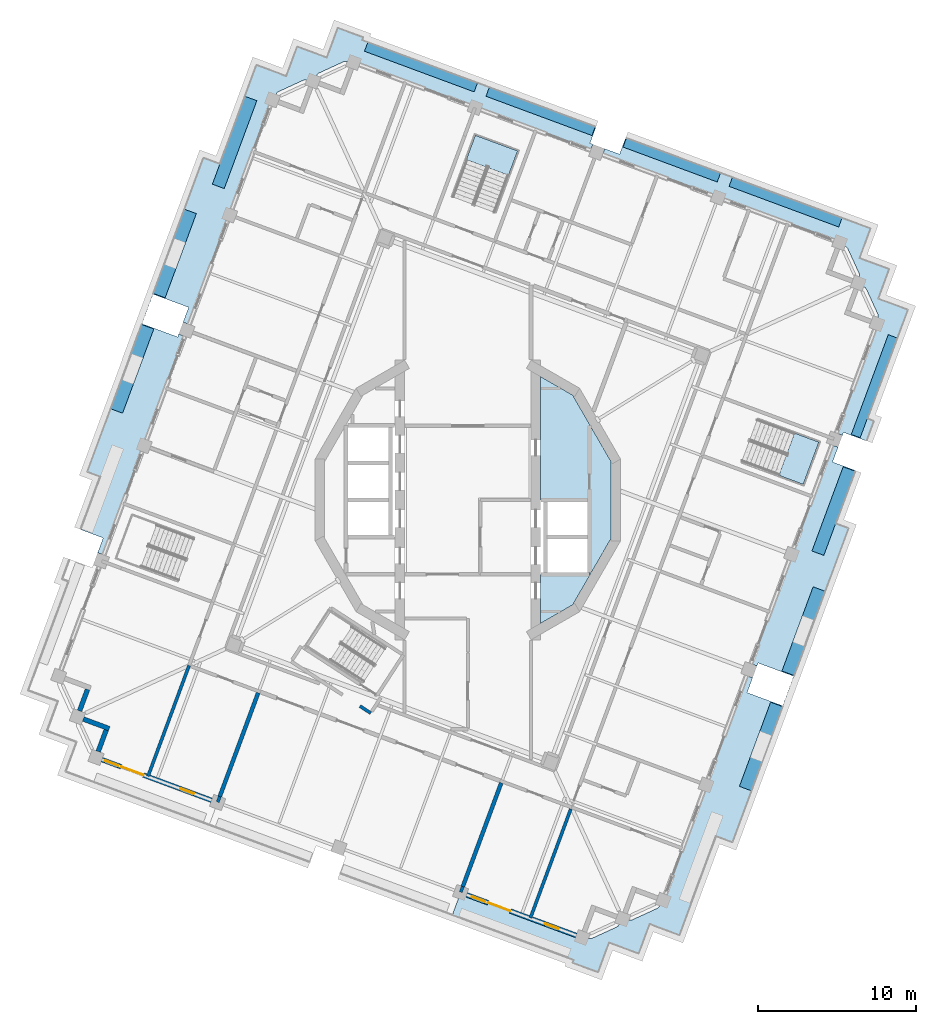
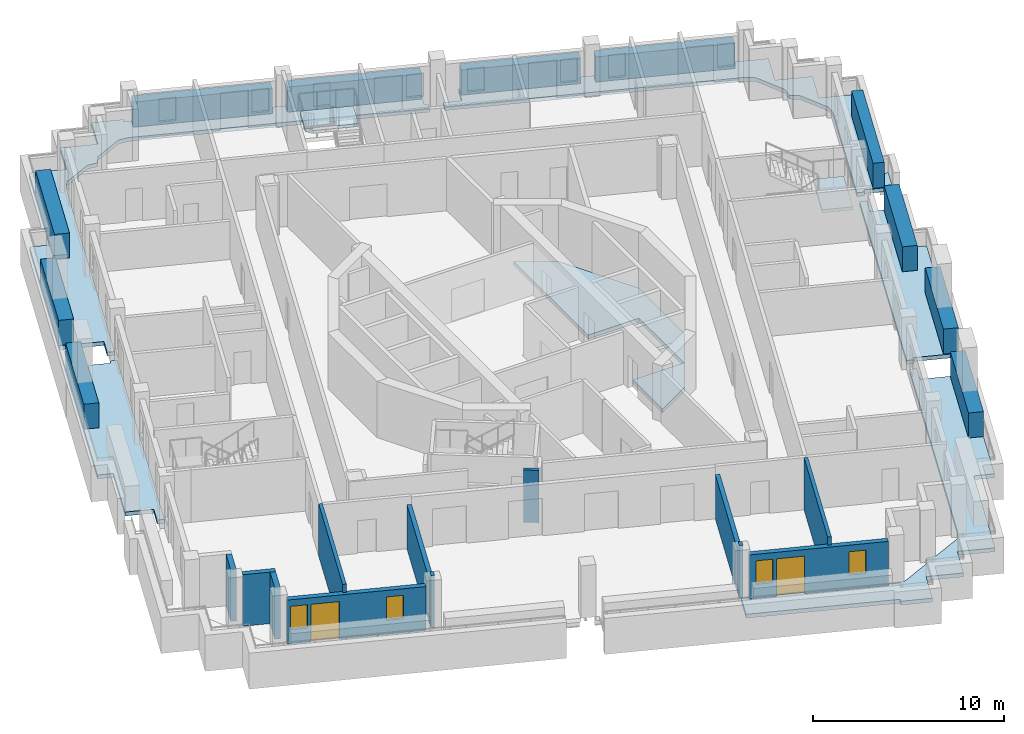
# One storey, part 3 of 18: 12 walls, 11 plates, 6 slabs, 4 windows, 2 doors, 6 openings, 2 elements without a shape of their own.
"""IFC4 building model written with IfcOpenShell, lengths in metres."""

from ifc_helpers import new_model, si_unit, direction, frame, frame_2d, origin, origin_2d, place, context, subcontext, project, spatial, polyline, rectangle, outline, extrude, material, layer, layer_set, type_object, element, fill, aggregate, save


model = new_model("IFC4")

# Units and contexts
model_context = context("Model", 3, precision=1e-05, world=origin(), true_north=direction((0.0, 1.0)))
body_context = subcontext(model_context, "Body", "Model", "MODEL_VIEW")
ifc_project = project(units=[si_unit("LENGTHUNIT", "METRE"), si_unit("AREAUNIT", "SQUARE_METRE"), si_unit("VOLUMEUNIT", "CUBIC_METRE"), si_unit("PLANEANGLEUNIT", "RADIAN"), si_unit("MASSUNIT", "GRAM", prefix="KILO")], contexts=[model_context])

# Site, building, storey
site_placement = place(None, origin())
site = spatial("IfcSite", under=ifc_project, at=site_placement, CompositionType="ELEMENT")
building_placement = place(site_placement, origin())
building = spatial("IfcBuilding", under=site, at=building_placement, Name="Cantera Rosa Tower", CompositionType="ELEMENT")
storey_placement = place(building_placement, frame((0.0, 0.0, 316.89990234375)))
storey = spatial("IfcBuildingStorey", under=building, at=storey_placement, Name="L70", CompositionType="ELEMENT", Elevation=316.89990234375)

# Slabs
ifc_material_1 = material(Name="Concrete C35/45", Category="concrete")
ifc_layer_1 = layer(ifc_material_1, 0.25)
ifc_layer_set_1 = layer_set([ifc_layer_1], Name="COMPOSITE FLOOR SLAB 250 C35/45")
slab_type_1 = type_object("IfcSlabType", Name="COMPOSITE FLOOR SLAB 250 C35/45", PredefinedType="FLOOR", material=ifc_layer_set_1)
slab_1_placement = place(storey_placement, frame((0.0, 0.0, -0.25)))
element("IfcSlab", 1, at=slab_1_placement, inside=storey, type_object=slab_type_1, Name="SLAB L70 floor 3", PredefinedType="FLOOR", context=body_context, shape_type="SweptSolid", body=[
    extrude(outline(polyline([(7.699951171875, 0.0), (4.60009765625, 0.0), (4.60009765625, 7.804931640625), (6.6318359375, 6.6318359375), (9.059326171875, 2.427490234375), (9.059326171875, -2.427490234375), (6.6318359375, -6.6318359375), (4.60009765625, -7.804931640625), (4.60009765625, -4.699951171875), (7.699951171875, -4.699951171875), (7.699951171875, -2.35009765625), (7.699951171875, 0.0)])), origin(), (0.0, 0.0, 1.0), 0.25),
])
ifc_material_2 = material(Name="Concrete C35/45", Category="concrete")
ifc_layer_2 = layer(ifc_material_2, 0.25)
ifc_layer_set_2 = layer_set([ifc_layer_2], Name="LOGGIA SLAB 250 C35/45")
slab_type_2 = type_object("IfcSlabType", Name="LOGGIA SLAB 250 C35/45", PredefinedType="FLOOR", material=ifc_layer_set_2)
slab_2_placement = place(storey_placement, frame((0.0, 0.0, -0.25)))
element("IfcSlab", 2, at=slab_2_placement, inside=storey, type_object=slab_type_2, Name="LOGGIA SLAB L70 2", PredefinedType="FLOOR", context=body_context, shape_type="SweptSolid", body=[
    extrude(outline(polyline([(-16.729736328125, 21.637451171875), (-15.69287109375, 21.253173828125), (-13.373779296875, 27.511474609375), (-11.779541015625, 26.920654296875), (-11.7841796875, 26.908447265625), (-11.490478515625, 26.799560546875), (-11.381591796875, 27.09326171875), (-10.795654296875, 28.6748046875), (-9.2138671875, 28.0888671875), (-8.920166015625, 27.97998046875), (-8.22509765625, 29.85546875), (-6.6435546875, 29.269287109375), (-6.70849609375, 29.093994140625), (-0.42578125, 26.765869140625), (2.38720703125, 25.723388671875), (7.26318359375, 23.91650390625), (8.10693359375, 23.603759765625), (7.724853515625, 22.572265625), (7.912353515625, 22.502685546875), (7.7734375, 22.127685546875), (-6.25048828125, 27.32470703125), (-7.2294921875, 27.6875), (-7.6962890625, 27.74755859375), (-7.7255859375, 27.750732421875), (-7.7548828125, 27.751220703125), (-7.784423828125, 27.74853515625), (-7.813232421875, 27.7431640625), (-7.841552734375, 27.735107421875), (-7.868896484375, 27.72412109375), (-9.4111328125, 27.015625), (-9.437255859375, 27.002197265625), (-9.4619140625, 26.986083984375), (-9.48486328125, 26.9677734375), (-9.505859375, 26.947021484375), (-9.52490234375, 26.924560546875), (-9.54150390625, 26.900146484375), (-9.800048828125, 26.507080078125), (-10.2666015625, 26.567138671875), (-10.2958984375, 26.5703125), (-10.325439453125, 26.57080078125), (-10.354736328125, 26.568115234375), (-10.383544921875, 26.562744140625), (-10.411865234375, 26.554443359375), (-10.439208984375, 26.543701171875), (-11.9814453125, 25.835205078125), (-12.007568359375, 25.82177734375), (-12.0322265625, 25.8056640625), (-12.05517578125, 25.787353515625), (-12.076171875, 25.7666015625), (-12.09521484375, 25.744140625), (-12.11181640625, 25.7197265625), (-12.370361328125, 25.32666015625), (-12.733154296875, 24.347412109375), (-17.63818359375, 11.111328125), (-18.01318359375, 11.250244140625), (-17.665771484375, 12.18798828125), (-19.916259765625, 13.02197265625), (-20.611083984375, 11.146484375), (-18.360595703125, 10.3125), (-18.291259765625, 10.5), (-17.916015625, 10.361083984375), (-23.044921875, -3.47900390625), (-23.419921875, -3.340087890625), (-23.072509765625, -2.40234375), (-24.51220703125, -1.868896484375), (-23.265869140625, 1.494384765625), (-24.0703125, 1.79248046875), (-21.37109375, 9.07568359375), (-21.38330078125, 9.080078125), (-16.729736328125, 21.637451171875)])), origin(), (0.0, 0.0, 1.0), 0.25),
])
slab_3_placement = place(storey_placement, frame((0.0, 0.0, -0.25)))
element("IfcSlab", 3, at=slab_3_placement, inside=storey, type_object=slab_type_2, Name="LOGGIA SLAB L70 3", PredefinedType="FLOOR", context=body_context, shape_type="SweptSolid", body=[
    extrude(outline(polyline([(11.7841796875, -26.908447265625), (11.490478515625, -26.799560546875), (11.381591796875, -27.09326171875), (10.795654296875, -28.6748046875), (9.2138671875, -28.0888671875), (8.920166015625, -27.97998046875), (8.22509765625, -29.85546875), (6.6435546875, -29.269287109375), (6.70849609375, -29.093994140625), (0.42578125, -26.765869140625), (-0.980712890625, -26.24462890625), (-0.45947265625, -24.838134765625), (6.25048828125, -27.32470703125), (7.2294921875, -27.6875), (7.6962890625, -27.74755859375), (7.7255859375, -27.750732421875), (7.7548828125, -27.751220703125), (7.784423828125, -27.74853515625), (7.813232421875, -27.7431640625), (7.841552734375, -27.735107421875), (7.868896484375, -27.72412109375), (9.4111328125, -27.015625), (9.437255859375, -27.002197265625), (9.4619140625, -26.986083984375), (9.48486328125, -26.9677734375), (9.505859375, -26.947021484375), (9.52490234375, -26.924560546875), (9.54150390625, -26.900146484375), (9.800048828125, -26.507080078125), (10.2666015625, -26.567138671875), (10.2958984375, -26.5703125), (10.325439453125, -26.57080078125), (10.354736328125, -26.568115234375), (10.383544921875, -26.562744140625), (10.411865234375, -26.554443359375), (10.439208984375, -26.543701171875), (11.9814453125, -25.835205078125), (12.007568359375, -25.82177734375), (12.0322265625, -25.8056640625), (12.05517578125, -25.787353515625), (12.076171875, -25.7666015625), (12.09521484375, -25.744140625), (12.11181640625, -25.7197265625), (12.370361328125, -25.32666015625), (12.733154296875, -24.347412109375), (17.63818359375, -11.111328125), (18.01318359375, -11.250244140625), (17.665771484375, -12.18798828125), (19.916259765625, -13.02197265625), (20.611083984375, -11.146484375), (18.360595703125, -10.3125), (18.291259765625, -10.5), (17.916015625, -10.361083984375), (23.044921875, 3.47900390625), (23.419921875, 3.340087890625), (23.072509765625, 2.40234375), (24.51220703125, 1.868896484375), (23.265869140625, -1.494384765625), (24.0703125, -1.79248046875), (21.37109375, -9.07568359375), (21.38330078125, -9.080078125), (16.729736328125, -21.637451171875), (15.69287109375, -21.253173828125), (13.373779296875, -27.511474609375), (11.779541015625, -26.920654296875), (11.7841796875, -26.908447265625)])), origin(), (0.0, 0.0, 1.0), 0.25),
])
slab_4_placement = place(storey_placement, frame((0.0, 0.0, -0.25)))
element("IfcSlab", 4, at=slab_4_placement, inside=storey, type_object=slab_type_2, Name="LOGGIA SLAB L70 4", PredefinedType="FLOOR", context=body_context, shape_type="SweptSolid", body=[
    extrude(outline(polyline([(25.454345703125, 17.17529296875), (24.93310546875, 15.768798828125), (24.75927734375, 15.300048828125), (25.22802734375, 15.126220703125), (26.634765625, 14.60498046875), (26.11328125, 13.198486328125), (25.939697265625, 12.729736328125), (26.408447265625, 12.555908203125), (26.410400390625, 12.561279296875), (27.822509765625, 12.0380859375), (25.268310546875, 5.145751953125), (25.671142578125, 4.996337890625), (25.20703125, 3.744384765625), (23.767578125, 4.27783203125), (23.697998046875, 4.09033203125), (23.322998046875, 4.229248046875), (25.88720703125, 11.1494140625), (25.947509765625, 11.6162109375), (25.95068359375, 11.6455078125), (25.950927734375, 11.6748046875), (25.948486328125, 11.7041015625), (25.943115234375, 11.733154296875), (25.934814453125, 11.76123046875), (25.923828125, 11.788818359375), (25.215576171875, 13.330810546875), (25.201904296875, 13.35693359375), (25.18603515625, 13.381591796875), (25.16748046875, 13.404541015625), (25.14697265625, 13.42578125), (25.12451171875, 13.444580078125), (25.10009765625, 13.461181640625), (24.706787109375, 13.7197265625), (24.76708984375, 14.186279296875), (24.770263671875, 14.2158203125), (24.7705078125, 14.2451171875), (24.76806640625, 14.2744140625), (24.7626953125, 14.303466796875), (24.75439453125, 14.331787109375), (24.743408203125, 14.35888671875), (24.03515625, 15.901123046875), (24.021484375, 15.92724609375), (24.005615234375, 15.951904296875), (23.987060546875, 15.974853515625), (23.966552734375, 15.99609375), (23.944091796875, 16.014892578125), (23.919677734375, 16.031494140625), (23.526611328125, 16.2900390625), (8.5234375, 21.849853515625), (8.66259765625, 22.224853515625), (9.60009765625, 21.87744140625), (9.982421875, 22.90869140625), (10.076171875, 22.8740234375), (14.9521484375, 21.067138671875), (17.76513671875, 20.024658203125), (24.047607421875, 17.696533203125), (25.454345703125, 17.17529296875)])), origin(), (0.0, 0.0, 1.0), 0.25),
])

# Plates
ifc_material_3 = material(Name="Cantera stone planter with soil", Category="masonry")
plate_type_1 = type_object("IfcPlateType", Name="PLANTER 600", PredefinedType="USERDEFINED", material=ifc_material_3)
plate_1_placement = place(storey_placement, frame((20.098876953125, 18.83984375, 0.0), z_axis=(0.0, 0.0, 1.0), x_axis=(-0.937686936924, 0.347481234489, 0.0)))
element("IfcPlate", 5, at=plate_1_placement, inside=storey, type_object=plate_type_1, Name="PLANTER L70-01", ObjectType="PLANTER", PredefinedType="USERDEFINED", context=body_context, shape_type="SweptSolid", body=[
    extrude(rectangle(XDim=7.39990234375, YDim=0.60009765625, at=origin_2d()), origin(), (0.0, 0.0, 1.0), 1.60009765625),
])
plate_2_placement = place(storey_placement, frame((12.902099609375, 21.5068359375, 0.0), z_axis=(0.0, 0.0, 1.0), x_axis=(-0.937686936924, 0.347481234489, 0.0)))
element("IfcPlate", 6, at=plate_2_placement, inside=storey, type_object=plate_type_1, Name="PLANTER L70-02", ObjectType="PLANTER", PredefinedType="USERDEFINED", context=body_context, shape_type="SweptSolid", body=[
    extrude(rectangle(XDim=6.35009765625, YDim=0.60009765625, at=origin_2d()), origin(), (0.0, 0.0, 1.0), 1.60009765625),
])
plate_3_placement = place(storey_placement, frame((4.603759765625, 24.58203125, 0.0), z_axis=(0.0, 0.0, 1.0), x_axis=(-0.937686936924, 0.347481234489, 0.0)))
element("IfcPlate", 7, at=plate_3_placement, inside=storey, type_object=plate_type_1, Name="PLANTER L70-03", ObjectType="PLANTER", PredefinedType="USERDEFINED", context=body_context, shape_type="SweptSolid", body=[
    extrude(rectangle(XDim=7.14990234375, YDim=0.60009765625, at=origin_2d()), origin(), (0.0, 0.0, 1.0), 1.60009765625),
])
plate_4_placement = place(storey_placement, frame((-2.968017578125, 27.387939453125, 0.0), z_axis=(0.0, 0.0, 1.0), x_axis=(-0.937686936924, 0.347481234489, 0.0)))
element("IfcPlate", 8, at=plate_4_placement, inside=storey, type_object=plate_type_1, Name="PLANTER L70-04", ObjectType="PLANTER", PredefinedType="USERDEFINED", context=body_context, shape_type="SweptSolid", body=[
    extrude(rectangle(XDim=7.39990234375, YDim=0.60009765625, at=origin_2d()), origin(), (0.0, 0.0, 1.0), 1.60009765625),
])
plate_5_placement = place(storey_placement, frame((25.709716796875, 7.199951171875, 0.0), z_axis=(0.0, 0.0, 1.0), x_axis=(0.347481234489, 0.937686936924, 0.0)))
element("IfcPlate", 9, at=plate_5_placement, inside=storey, type_object=plate_type_1, Name="PLANTER L70-18", ObjectType="PLANTER", PredefinedType="USERDEFINED", context=body_context, shape_type="SweptSolid", body=[
    extrude(rectangle(XDim=6.72998046875, YDim=0.60009765625, at=origin_2d()), origin(), (0.0, 0.0, 1.0), 1.60009765625),
])
ifc_material_4 = material(Name="Cantera stone planter with soil", Category="masonry")
plate_type_2 = type_object("IfcPlateType", Name="PLANTER 800", PredefinedType="USERDEFINED", material=ifc_material_4)
plate_6_placement = place(storey_placement, frame((-14.758544921875, 22.623046875, 0.0), z_axis=(0.0, 0.0, 1.0), x_axis=(-0.347481234489, -0.937686936924, 0.0)))
element("IfcPlate", 10, at=plate_6_placement, inside=storey, type_object=plate_type_2, Name="PLANTER L70-05", ObjectType="PLANTER", PredefinedType="USERDEFINED", context=body_context, shape_type="SweptSolid", body=[
    extrude(rectangle(XDim=5.929931640625, YDim=0.800048828125, at=origin_2d()), origin(), (0.0, 0.0, 1.0), 1.60009765625),
])
for number, where, z_axis, x_axis, name in (
    (11, (-18.54248046875, 15.594970703125, 0.0), (0.0, 0.0, 1.0), (-0.347481234489, -0.937686936924, 0.0), "PLANTER L70-06"),
    (12, (-21.23388671875, 8.295166015625, 0.0), (0.0, 0.0, 1.0), (-0.347481234489, -0.937686936924, 0.0), "PLANTER L70-07"),
    (13, (18.54248046875, -15.594970703125, 0.0), (0.0, 0.0, 1.0), (0.347481234489, 0.937686936924, 0.0), "PLANTER L70-15"),
    (14, (21.23388671875, -8.295166015625, 0.0), (0.0, 0.0, 1.0), (0.347481234489, 0.937686936924, 0.0), "PLANTER L70-16"),
    (15, (23.1328125, -0.701904296875, 0.0), (0.0, 0.0, 1.0), (0.347481234489, 0.937686936924, 0.0), "PLANTER L70-17"),
):
    element("IfcPlate", number, at=place(storey_placement, frame(where, z_axis=z_axis, x_axis=x_axis)), inside=storey, type_object=plate_type_2, Name=name, ObjectType="PLANTER", PredefinedType="USERDEFINED", context=body_context, shape_type="SweptSolid", body=[
        extrude(rectangle(XDim=5.679931640625, YDim=0.800048828125, at=origin_2d()), origin(), (0.0, 0.0, 1.0), 1.60009765625),
    ])

# Stair, slab
ifc_material_5 = material(Name="Concrete C35/45", Category="concrete")
stair_type = type_object("IfcStairType", Name="EXIT STAIR 1350 DOGLEG", PredefinedType="HALF_TURN_STAIR", material=ifc_material_5)
stair_1_placement = place(storey_placement, origin())
stair_1 = element("IfcStair", 16, at=stair_1_placement, inside=storey, type_object=stair_type, Name="L70 ST-61", PredefinedType="HALF_TURN_STAIR")
ifc_material_6 = material(Name="Concrete C35/45", Category="concrete")
ifc_layer_3 = layer(ifc_material_6, 0.199951171875)
ifc_layer_set_3 = layer_set([ifc_layer_3], Name="STAIR LANDING 200")
slab_type_3 = type_object("IfcSlabType", Name="STAIR LANDING 200", PredefinedType="LANDING", material=ifc_layer_set_3)
slab_5_placement = place(storey_placement, frame((0.0, 0.0, 1.60009765625)))
slab_5 = element("IfcSlab", 17, at=slab_5_placement, type_object=slab_type_3, Name="ST-61 landing 1", PredefinedType="LANDING", context=body_context, shape_type="SweptSolid", body=[
    extrude(outline(polyline([(19.67626953125, 1.56005859375), (21.2158203125, 0.989501953125), (22.206298828125, 3.661865234375), (20.66650390625, 4.232421875), (19.67626953125, 1.56005859375)])), origin(), (0.0, 0.0, 1.0), 0.199951171875),
])
aggregate(stair_1, [slab_5])

stair_2_placement = place(storey_placement, origin())
stair_2 = element("IfcStair", 18, at=stair_2_placement, inside=storey, type_object=stair_type, Name="L70 ST-62", PredefinedType="HALF_TURN_STAIR")
slab_6_placement = place(storey_placement, frame((0.0, 0.0, 1.60009765625)))
slab_6 = element("IfcSlab", 19, at=slab_6_placement, type_object=slab_type_3, Name="ST-62 landing 1", PredefinedType="LANDING", context=body_context, shape_type="SweptSolid", body=[
    extrude(outline(polyline([(2.573974609375, 20.543701171875), (3.14453125, 22.08349609375), (0.47216796875, 23.07373046875), (-0.098388671875, 21.5341796875), (2.573974609375, 20.543701171875)])), origin(), (0.0, 0.0, 1.0), 0.199951171875),
])
aggregate(stair_2, [slab_6])

# Walls
ifc_material_7 = material(Name="Gypsum board partition")
ifc_layer_4 = layer(ifc_material_7, 0.199951171875)
ifc_layer_set_4 = layer_set([ifc_layer_4], Name="CORRIDOR WALL 200 H3350")
wall_type_1 = type_object("IfcWallType", Name="CORRIDOR WALL 200 H3350", PredefinedType="PARTITIONING", material=ifc_layer_set_4)
wall_1_placement = place(storey_placement, frame((-6.83251953125, -13.038330078125, 0.0), z_axis=(0.0, 0.0, 1.0), x_axis=(0.838593374038, -0.54475788477, 0.0)))
element("IfcWall", 20, at=wall_1_placement, inside=storey, type_object=wall_type_1, Name="CORRIDOR WALL L70-019", PredefinedType="PARTITIONING", context=body_context, shape_type="SweptSolid", body=[
    extrude(rectangle(XDim=0.8193359375, YDim=0.199951171875, at=frame_2d((0.40966796875, 0.0))), origin(), (0.0, 0.0, 1.0), 3.35009765625),
])
ifc_material_8 = material(Name="Hollow clay masonry with cantera stone cladding", Category="masonry")
ifc_layer_5 = layer(ifc_material_8, 0.300048828125)
ifc_layer_set_5 = layer_set([ifc_layer_5], Name="EW-LOGGIA 300")
wall_type_2 = type_object("IfcWallType", Name="EW-LOGGIA 300", PredefinedType="SOLIDWALL", material=ifc_layer_set_5)
wall_2_placement = place(storey_placement, frame((-24.06396484375, -11.985107421875, 0.0), z_axis=(0.0, 0.0, 1.0), x_axis=(-0.347522732201, -0.937671557958, 0.0)))
element("IfcWall", 21, at=wall_2_placement, inside=storey, type_object=wall_type_2, Name="EN-L70-W12b", PredefinedType="SOLIDWALL", context=body_context, shape_type="SweptSolid", body=[
    extrude(rectangle(XDim=1.449951171875, YDim=0.300048828125, at=frame_2d((0.72509765625, 0.0))), origin(), (0.0, 0.0, 1.0), 3.300048828125),
])
wall_3_placement = place(storey_placement, frame((-24.331787109375, -13.858642578125, 0.0), z_axis=(0.0, 0.0, 1.0), x_axis=(0.937669639538, -0.34752790836, 0.0)))
element("IfcWall", 22, at=wall_3_placement, inside=storey, type_object=wall_type_2, Name="EN-L70-W13a", PredefinedType="SOLIDWALL", context=body_context, shape_type="SweptSolid", body=[
    extrude(rectangle(XDim=1.75, YDim=0.300048828125, at=frame_2d((0.875, 0.0))), origin(), (0.0, 0.0, 1.0), 3.300048828125),
])
wall_4_placement = place(storey_placement, frame((-22.883544921875, -14.555419921875, 0.0), z_axis=(0.0, 0.0, 1.0), x_axis=(-0.347522732201, -0.937671557958, 0.0)))
element("IfcWall", 23, at=wall_4_placement, inside=storey, type_object=wall_type_2, Name="EN-L70-W13b", PredefinedType="SOLIDWALL", context=body_context, shape_type="SweptSolid", body=[
    extrude(rectangle(XDim=1.449951171875, YDim=0.300048828125, at=frame_2d((0.72509765625, 0.0))), origin(), (0.0, 0.0, 1.0), 3.300048828125),
])

# Wall, openings, windows, door
ifc_material_9 = material(Name="Hollow clay masonry with cantera stone cladding", Category="masonry")
ifc_layer_6 = layer(ifc_material_9, 0.300048828125)
ifc_layer_set_6 = layer_set([ifc_layer_6], Name="EW-LOGGIA 300 H2820")
wall_type_3 = type_object("IfcWallType", Name="EW-LOGGIA 300 H2820", PredefinedType="SOLIDWALL", material=ifc_layer_set_6)
wall_5_placement = place(storey_placement, frame((-23.1513671875, -16.428955078125, 0.0), z_axis=(0.0, 0.0, 1.0), x_axis=(0.937676706507, -0.347508840281, 0.0)))
wall_5 = element("IfcWall", 24, at=wall_5_placement, inside=storey, type_object=wall_type_3, Name="EN-L70-W14", PredefinedType="SOLIDWALL", context=body_context, shape_type="SweptSolid", body=[
    extrude(rectangle(XDim=7.39990234375, YDim=0.300048828125, at=frame_2d((3.699951171875, 0.0))), origin(), (0.0, 0.0, 1.0), 2.820068359375),
])
opening_1_placement = place(wall_5_placement, frame((0.199951171875, 0.0, 0.89990234375)))
opening_1 = element("IfcOpeningElement", 25, at=opening_1_placement, cuts=wall_5, Name="Opening L70-W28", PredefinedType="OPENING", context=body_context, shape_type="SweptSolid", body=[
    extrude(rectangle(XDim=0.89990234375, YDim=1.5, at=frame_2d((0.449951171875, 0.75))), frame((0.0, 0.159912109375, 0.0), z_axis=(0.0, -1.0, 0.0), x_axis=(1.0, 0.0, 0.0)), (0.0, 0.0, 1.0), 0.320068359375),
])
opening_2_placement = place(wall_5_placement, frame((1.300048828125, 0.0, 0.0)))
opening_2 = element("IfcOpeningElement", 26, at=opening_2_placement, cuts=wall_5, Name="Opening L70-TD29", PredefinedType="OPENING", context=body_context, shape_type="SweptSolid", body=[
    extrude(rectangle(XDim=1.5, YDim=2.39990234375, at=frame_2d((0.75, 1.199951171875))), frame((0.0, 0.159912109375, 0.0), z_axis=(0.0, -1.0, 0.0), x_axis=(1.0, 0.0, 0.0)), (0.0, 0.0, 1.0), 0.320068359375),
])
opening_3_placement = place(wall_5_placement, frame((5.300048828125, 0.0, 0.89990234375)))
opening_3 = element("IfcOpeningElement", 27, at=opening_3_placement, cuts=wall_5, Name="Opening L70-W30", PredefinedType="OPENING", context=body_context, shape_type="SweptSolid", body=[
    extrude(rectangle(XDim=0.89990234375, YDim=1.5, at=frame_2d((0.449951171875, 0.75))), frame((0.0, 0.159912109375, 0.0), z_axis=(0.0, -1.0, 0.0), x_axis=(1.0, 0.0, 0.0)), (0.0, 0.0, 1.0), 0.320068359375),
])
ifc_material_10 = material(Name="Aluminium frame with clear glass", Category="aluminium")
window_type = type_object("IfcWindowType", Name="Residential window 900x1500", PartitioningType="SINGLE_PANEL", PredefinedType="WINDOW", material=ifc_material_10)
window_1_placement = place(opening_1_placement, origin())
window_1 = element("IfcWindow", 28, at=window_1_placement, inside=storey, type_object=window_type, Name="WINDOW L70-W28", OverallHeight=1.5, OverallWidth=0.89990234375, PartitioningType="SINGLE_PANEL", PredefinedType="WINDOW", context=body_context, shape_type="SweptSolid", body=[
    extrude(rectangle(XDim=0.89990234375, YDim=1.5, at=frame_2d((0.449951171875, 0.75))), frame((0.0, 0.030029296875, 0.0), z_axis=(0.0, -1.0, 0.0), x_axis=(1.0, 0.0, 0.0)), (0.0, 0.0, 1.0), 0.06005859375),
])
fill(opening_1, window_1)
window_2_placement = place(opening_3_placement, origin())
window_2 = element("IfcWindow", 29, at=window_2_placement, inside=storey, type_object=window_type, Name="WINDOW L70-W30", OverallHeight=1.5, OverallWidth=0.89990234375, PartitioningType="SINGLE_PANEL", PredefinedType="WINDOW", context=body_context, shape_type="SweptSolid", body=[
    extrude(rectangle(XDim=0.89990234375, YDim=1.5, at=frame_2d((0.449951171875, 0.75))), frame((0.0, 0.030029296875, 0.0), z_axis=(0.0, -1.0, 0.0), x_axis=(1.0, 0.0, 0.0)), (0.0, 0.0, 1.0), 0.06005859375),
])
fill(opening_3, window_2)
ifc_material_11 = material(Name="Aluminium frame with clear glass", Category="aluminium")
door_type = type_object("IfcDoorType", Name="TD-R 1500x2400", OperationType="NOTDEFINED", PredefinedType="DOOR", material=ifc_material_11)
door_1_placement = place(opening_2_placement, origin())
door_1 = element("IfcDoor", 30, at=door_1_placement, inside=storey, type_object=door_type, Name="LOGGIA DOOR L70-TD29", OperationType="SLIDING_TO_LEFT", OverallHeight=2.39990234375, OverallWidth=1.5, PredefinedType="DOOR", context=body_context, shape_type="SweptSolid", body=[
    extrude(rectangle(XDim=1.5, YDim=2.39990234375, at=frame_2d((0.75, 1.199951171875))), frame((0.0, 0.02490234375, 0.0), z_axis=(0.0, -1.0, 0.0), x_axis=(1.0, 0.0, 0.0)), (0.0, 0.0, 1.0), 0.050048828125),
])
fill(opening_2, door_1)

wall_6_placement = place(storey_placement, frame((-0.084228515625, -24.97705078125, 0.0), z_axis=(0.0, 0.0, 1.0), x_axis=(0.937687456783, -0.347479831633, 0.0)))
wall_6 = element("IfcWall", 31, at=wall_6_placement, inside=storey, type_object=wall_type_3, Name="EN-L70-W17", PredefinedType="SOLIDWALL", context=body_context, shape_type="SweptSolid", body=[
    extrude(rectangle(XDim=7.39990234375, YDim=0.300048828125, at=frame_2d((3.699951171875, 0.0))), origin(), (0.0, 0.0, 1.0), 2.820068359375),
])
opening_4_placement = place(wall_6_placement, frame((0.35009765625, 0.0, 0.89990234375)))
opening_4 = element("IfcOpeningElement", 32, at=opening_4_placement, cuts=wall_6, Name="Opening L70-W31", PredefinedType="OPENING", context=body_context, shape_type="SweptSolid", body=[
    extrude(rectangle(XDim=0.89990234375, YDim=1.5, at=frame_2d((0.449951171875, 0.75))), frame((0.0, 0.159912109375, 0.0), z_axis=(0.0, -1.0, 0.0), x_axis=(1.0, 0.0, 0.0)), (0.0, 0.0, 1.0), 0.320068359375),
])
opening_5_placement = place(wall_6_placement, frame((1.449951171875, 0.0, 0.0)))
opening_5 = element("IfcOpeningElement", 33, at=opening_5_placement, cuts=wall_6, Name="Opening L70-TD32", PredefinedType="OPENING", context=body_context, shape_type="SweptSolid", body=[
    extrude(rectangle(XDim=1.5, YDim=2.39990234375, at=frame_2d((0.75, 1.199951171875))), frame((0.0, 0.159912109375, 0.0), z_axis=(0.0, -1.0, 0.0), x_axis=(1.0, 0.0, 0.0)), (0.0, 0.0, 1.0), 0.320068359375),
])
opening_6_placement = place(wall_6_placement, frame((5.300048828125, 0.0, 0.89990234375)))
opening_6 = element("IfcOpeningElement", 34, at=opening_6_placement, cuts=wall_6, Name="Opening L70-W33", PredefinedType="OPENING", context=body_context, shape_type="SweptSolid", body=[
    extrude(rectangle(XDim=0.89990234375, YDim=1.5, at=frame_2d((0.449951171875, 0.75))), frame((0.0, 0.159912109375, 0.0), z_axis=(0.0, -1.0, 0.0), x_axis=(1.0, 0.0, 0.0)), (0.0, 0.0, 1.0), 0.320068359375),
])
window_3_placement = place(opening_4_placement, origin())
window_3 = element("IfcWindow", 35, at=window_3_placement, inside=storey, type_object=window_type, Name="WINDOW L70-W31", OverallHeight=1.5, OverallWidth=0.89990234375, PartitioningType="SINGLE_PANEL", PredefinedType="WINDOW", context=body_context, shape_type="SweptSolid", body=[
    extrude(rectangle(XDim=0.89990234375, YDim=1.5, at=frame_2d((0.449951171875, 0.75))), frame((0.0, 0.030029296875, 0.0), z_axis=(0.0, -1.0, 0.0), x_axis=(1.0, 0.0, 0.0)), (0.0, 0.0, 1.0), 0.06005859375),
])
fill(opening_4, window_3)
window_4_placement = place(opening_6_placement, origin())
window_4 = element("IfcWindow", 36, at=window_4_placement, inside=storey, type_object=window_type, Name="WINDOW L70-W33", OverallHeight=1.5, OverallWidth=0.89990234375, PartitioningType="SINGLE_PANEL", PredefinedType="WINDOW", context=body_context, shape_type="SweptSolid", body=[
    extrude(rectangle(XDim=0.89990234375, YDim=1.5, at=frame_2d((0.449951171875, 0.75))), frame((0.0, 0.030029296875, 0.0), z_axis=(0.0, -1.0, 0.0), x_axis=(1.0, 0.0, 0.0)), (0.0, 0.0, 1.0), 0.06005859375),
])
fill(opening_6, window_4)
door_2_placement = place(opening_5_placement, origin())
door_2 = element("IfcDoor", 37, at=door_2_placement, inside=storey, type_object=door_type, Name="LOGGIA DOOR L70-TD32", OperationType="SLIDING_TO_LEFT", OverallHeight=2.39990234375, OverallWidth=1.5, PredefinedType="DOOR", context=body_context, shape_type="SweptSolid", body=[
    extrude(rectangle(XDim=1.5, YDim=2.39990234375, at=frame_2d((0.75, 1.199951171875))), frame((0.0, 0.02490234375, 0.0), z_axis=(0.0, -1.0, 0.0), x_axis=(1.0, 0.0, 0.0)), (0.0, 0.0, 1.0), 0.050048828125),
])
fill(opening_5, door_2)

# Walls
ifc_material_12 = material(Name="Concrete C40/50", Category="concrete")
ifc_layer_7 = layer(ifc_material_12, 0.25)
ifc_layer_set_7 = layer_set([ifc_layer_7], Name="EW-POCKET CHEEK 250 H2820")
wall_type_4 = type_object("IfcWallType", Name="EW-POCKET CHEEK 250 H2820", PredefinedType="SOLIDWALL", material=ifc_layer_set_7)
for number, where, z_axis, x_axis, name in (
    (38, (-15.698486328125, -18.764404296875, 0.0), (0.0, 0.0, 1.0), (0.34747451338, 0.937689427556, 0.0), "POCKET CHEEK A L70"),
    (39, (-0.3203125, -24.463134765625, 0.0), (0.0, 0.0, 1.0), (0.34747451338, 0.937689427556, 0.0), "POCKET CHEEK B L70"),
):
    element("IfcWall", number, at=place(storey_placement, frame(where, z_axis=z_axis, x_axis=x_axis)), inside=storey, type_object=wall_type_4, Name=name, PredefinedType="SOLIDWALL", context=body_context, shape_type="SweptSolid", body=[
        extrude(rectangle(XDim=7.000244140625, YDim=0.25, at=frame_2d((3.5, 0.0))), origin(), (0.0, 0.0, 1.0), 2.820068359375),
    ])
ifc_material_13 = material(Name="Gypsum board partition")
ifc_layer_8 = layer(ifc_material_13, 0.199951171875)
ifc_layer_set_8 = layer_set([ifc_layer_8], Name="PARTITION 200 H3350")
wall_type_5 = type_object("IfcWallType", Name="PARTITION 200 H3350", PredefinedType="PARTITIONING", material=ifc_layer_set_8)
wall_7_placement = place(storey_placement, frame((-17.638427734375, -10.4736328125, 0.0), z_axis=(0.0, 0.0, 1.0), x_axis=(-0.347488923611, -0.937684087509, 0.0)))
element("IfcWall", 40, at=wall_7_placement, inside=storey, type_object=wall_type_5, Name="PARTITION L70-002", PredefinedType="PARTITIONING", context=body_context, shape_type="SweptSolid", body=[
    extrude(rectangle(XDim=7.469970703125, YDim=0.199951171875, at=frame_2d((3.73486328125, 0.0))), origin(), (0.0, 0.0, 1.0), 3.35009765625),
])
wall_8_placement = place(storey_placement, frame((-15.698486328125, -18.764404296875, 0.0), z_axis=(0.0, 0.0, 1.0), x_axis=(-0.347142392482, -0.937812432921, 0.0)))
element("IfcWall", 41, at=wall_8_placement, inside=storey, type_object=wall_type_5, Name="PARTITION L70-015", PredefinedType="PARTITIONING", context=body_context, shape_type="SweptSolid", body=[
    extrude(rectangle(XDim=0.369873046875, YDim=0.199951171875, at=frame_2d((0.18505859375, 0.0))), origin(), (0.0, 0.0, 1.0), 3.35009765625),
])
wall_9_placement = place(storey_placement, frame((-0.448974609375, -24.81005859375, 0.0), z_axis=(0.0, 0.0, 1.0), x_axis=(0.347507636708, 0.937677152558, 0.0)))
element("IfcWall", 42, at=wall_9_placement, inside=storey, type_object=wall_type_5, Name="PARTITION L70-054", PredefinedType="PARTITIONING", context=body_context, shape_type="SweptSolid", body=[
    extrude(rectangle(XDim=0.370361328125, YDim=0.199951171875, at=frame_2d((0.18505859375, 0.0))), origin(), (0.0, 0.0, 1.0), 3.35009765625),
])
ifc_material_14 = material(Name="Gypsum board partition")
ifc_layer_9 = layer(ifc_material_14, 0.199951171875)
ifc_layer_set_9 = layer_set([ifc_layer_9], Name="PARTY WALL 200 H3350")
wall_type_6 = type_object("IfcWallType", Name="PARTY WALL 200 H3350", PredefinedType="PARTITIONING", material=ifc_layer_set_9)
wall_10_placement = place(storey_placement, frame((3.958251953125, -26.443115234375, 0.0), z_axis=(0.0, 0.0, 1.0), x_axis=(0.347473379308, 0.937689847803, 0.0)))
element("IfcWall", 43, at=wall_10_placement, inside=storey, type_object=wall_type_6, Name="PARTY WALL L70-064", PredefinedType="PARTITIONING", context=body_context, shape_type="SweptSolid", body=[
    extrude(rectangle(XDim=7.35009765625, YDim=0.199951171875, at=frame_2d((3.675048828125, 0.0))), origin(), (0.0, 0.0, 1.0), 3.35009765625),
])

save(model, "model.ifc")
